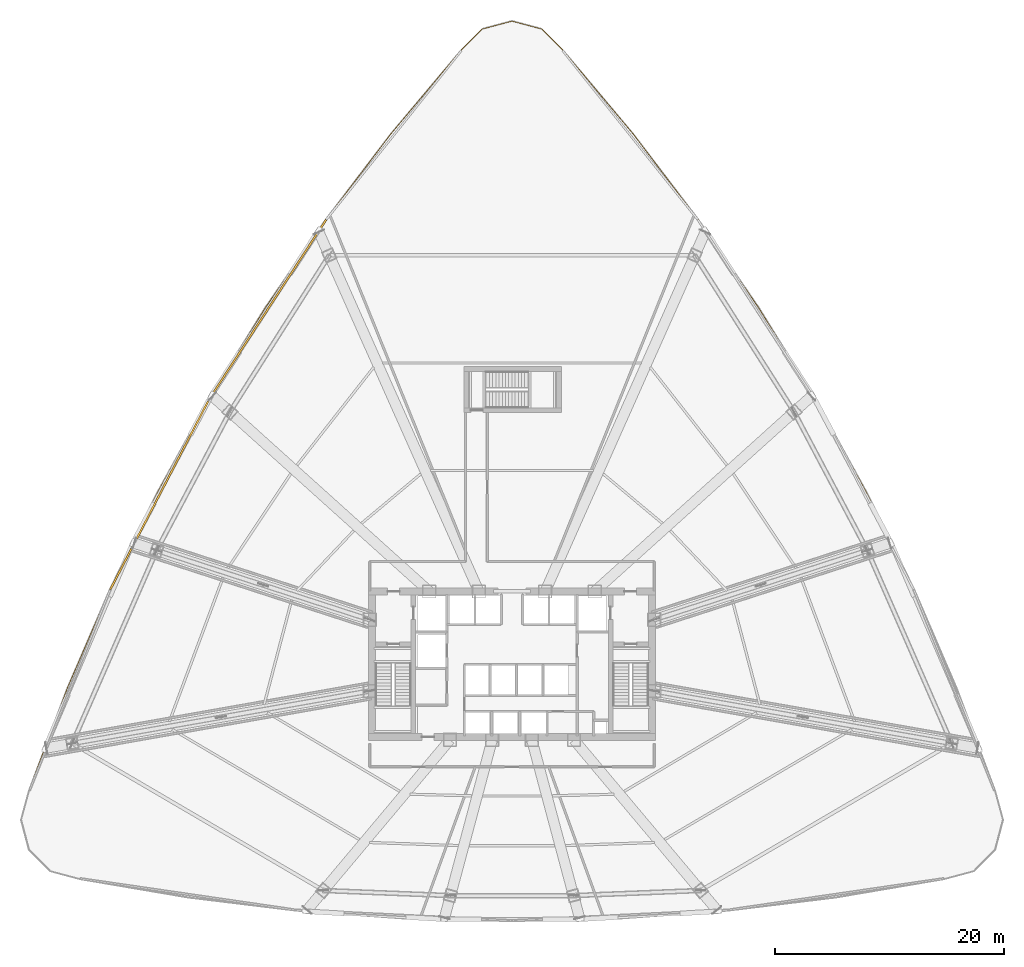
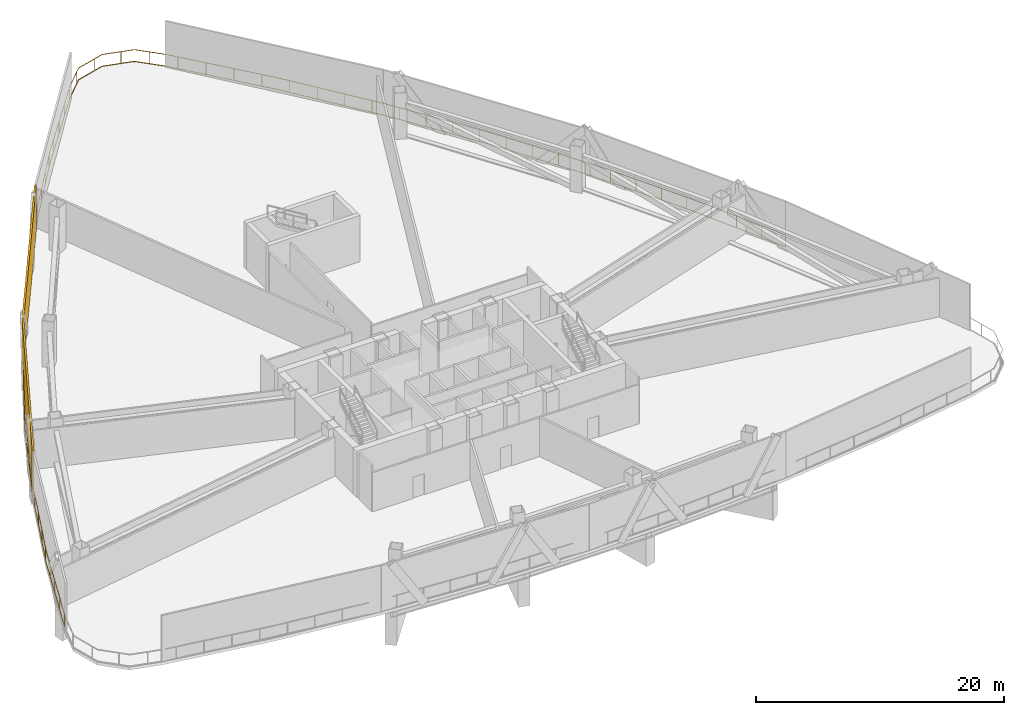
# One storey, part 15 of 17: 2 shading devices, 1 railing.
"""IFC4 building model written with IfcOpenShell, lengths in metres."""

from ifc_helpers import new_model, si_unit, direction, frame, origin, origin_2d, place, context, subcontext, project, spatial, rectangle, extrude, source, transform, mapped, material, layer, layer_set, type_object, element, save


model = new_model("IFC4")

# Units and contexts
model_context = context("Model", 3, precision=1e-05, world=origin(), true_north=direction((0.0, 1.0)))
body_context = subcontext(model_context, "Body", "Model", "MODEL_VIEW")
ifc_project = project(units=[si_unit("LENGTHUNIT", "METRE"), si_unit("AREAUNIT", "SQUARE_METRE"), si_unit("VOLUMEUNIT", "CUBIC_METRE"), si_unit("PLANEANGLEUNIT", "RADIAN"), si_unit("MASSUNIT", "GRAM", prefix="KILO"), si_unit("THERMODYNAMICTEMPERATUREUNIT", "KELVIN"), si_unit("POWERUNIT", "WATT")], contexts=[model_context])

# Site, building, storey
site_placement = place(None, origin())
site = spatial("IfcSite", under=ifc_project, at=site_placement, CompositionType="ELEMENT")
building_placement = place(site_placement, origin())
building = spatial("IfcBuilding", under=site, at=building_placement, Name="Yunzhuo Pagoda Commons", CompositionType="ELEMENT")
storey_placement = place(building_placement, frame((0.0, 0.0, 76.3798828125)))
storey = spatial("IfcBuildingStorey", under=building, at=storey_placement, Name="L19", CompositionType="ELEMENT", Elevation=76.3798828125)

# Railing
ifc_material = material(Name="Anodized aluminium 6063-T6", Category="aluminium")
railing_type = type_object("IfcRailingType", Name="RL-PRT1 Wind Portal & Refuge Guardrail 1200", PredefinedType="GUARDRAIL", material=ifc_material)
railing_placement = place(storey_placement, frame((83.052001953125, 40.406494140625, 0.0)))
element("IfcRailing", 1, at=railing_placement, inside=storey, type_object=railing_type, Name="L19 refuge perimeter guardrail B", PredefinedType="GUARDRAIL", context=body_context, shape_type="SweptSolid", body=[
    extrude(rectangle(XDim=0.048095703125, YDim=0.048095703125, at=origin_2d()), frame((0.0, 0.0, 1.17578125), z_axis=(-0.440274058071, 0.897863438274, 0.0), x_axis=(-0.897863438274, -0.440274058071, 0.0)), (0.0, 0.0, 1.0), 9.34814453125),
    extrude(rectangle(XDim=0.048095703125, YDim=0.048095703125, at=origin_2d()), frame((0.0, 0.0, 0.02392578125), z_axis=(-0.440274058071, 0.897863438274, 0.0), x_axis=(-0.897863438274, -0.440274058071, 0.0)), (0.0, 0.0, 1.0), 9.34814453125),
    extrude(rectangle(XDim=0.048095703125, YDim=0.048095703125, at=origin_2d()), frame((-4.11572265625, 8.393310546875, 1.17578125), z_axis=(-0.48316113029, 0.875531451278, 0.0), x_axis=(-0.875531451278, -0.48316113029, 0.0)), (0.0, 0.0, 1.0), 9.3203125),
    extrude(rectangle(XDim=0.048095703125, YDim=0.048095703125, at=origin_2d()), frame((-4.11572265625, 8.393310546875, 0.02392578125), z_axis=(-0.48316113029, 0.875531451278, 0.0), x_axis=(-0.875531451278, -0.48316113029, 0.0)), (0.0, 0.0, 1.0), 9.3203125),
    extrude(rectangle(XDim=0.048095703125, YDim=0.048095703125, at=origin_2d()), frame((-8.618896484375, 16.553466796875, 1.17578125), z_axis=(-0.524827973597, 0.85120831653, 0.0), x_axis=(-0.85120831653, -0.524827973597, 0.0)), (0.0, 0.0, 1.0), 9.3203125),
    extrude(rectangle(XDim=0.048095703125, YDim=0.048095703125, at=origin_2d()), frame((-8.618896484375, 16.553466796875, 0.02392578125), z_axis=(-0.524827973597, 0.85120831653, 0.0), x_axis=(-0.85120831653, -0.524827973597, 0.0)), (0.0, 0.0, 1.0), 9.3203125),
    extrude(rectangle(XDim=0.048095703125, YDim=0.048095703125, at=origin_2d()), frame((-13.510498046875, 24.487060546875, 1.17578125), z_axis=(-0.565364403372, 0.824841252242, 0.0), x_axis=(-0.824841252242, -0.565364403372, 0.0)), (0.0, 0.0, 1.0), 9.347900390625),
    extrude(rectangle(XDim=0.048095703125, YDim=0.048095703125, at=origin_2d()), frame((-13.510498046875, 24.487060546875, 0.02392578125), z_axis=(-0.565364403372, 0.824841252242, 0.0), x_axis=(-0.824841252242, -0.565364403372, 0.0)), (0.0, 0.0, 1.0), 9.347900390625),
    extrude(rectangle(XDim=0.048095703125, YDim=0.048095703125, at=origin_2d()), frame((-18.79541015625, 32.197509765625, 1.17578125), z_axis=(-0.604578631577, 0.796545465269, 0.0), x_axis=(-0.796545465269, -0.604578631577, 0.0)), (0.0, 0.0, 1.0), 9.3984375),
    extrude(rectangle(XDim=0.048095703125, YDim=0.048095703125, at=origin_2d()), frame((-18.79541015625, 32.197509765625, 0.02392578125), z_axis=(-0.604578631577, 0.796545465269, 0.0), x_axis=(-0.796545465269, -0.604578631577, 0.0)), (0.0, 0.0, 1.0), 9.3984375),
    extrude(rectangle(XDim=0.048095703125, YDim=0.048095703125, at=origin_2d()), frame((-24.4775390625, 39.683837890625, 1.17578125), z_axis=(-0.642134713176, 0.76659181455, 0.0), x_axis=(-0.76659181455, -0.642134713176, 0.0)), (0.0, 0.0, 1.0), 9.470703125),
    extrude(rectangle(XDim=0.048095703125, YDim=0.048095703125, at=origin_2d()), frame((-24.4775390625, 39.683837890625, 0.02392578125), z_axis=(-0.642134713176, 0.76659181455, 0.0), x_axis=(-0.76659181455, -0.642134713176, 0.0)), (0.0, 0.0, 1.0), 9.470703125),
    extrude(rectangle(XDim=0.048095703125, YDim=0.048095703125, at=origin_2d()), frame((-30.55908203125, 46.944091796875, 1.17578125), z_axis=(-0.708924060217, 0.705284819662, 0.0), x_axis=(-0.705284819662, -0.708924060217, 0.0)), (0.0, 0.0, 1.0), 2.683349609375),
    extrude(rectangle(XDim=0.048095703125, YDim=0.048095703125, at=origin_2d()), frame((-30.55908203125, 46.944091796875, 0.02392578125), z_axis=(-0.708924060217, 0.705284819662, 0.0), x_axis=(-0.705284819662, -0.708924060217, 0.0)), (0.0, 0.0, 1.0), 2.683349609375),
    extrude(rectangle(XDim=0.048095703125, YDim=0.048095703125, at=origin_2d()), frame((-32.46142578125, 48.836669921875, 1.17578125), z_axis=(-0.966112425525, 0.258121640407, 0.0), x_axis=(-0.258121640407, -0.966112425525, 0.0)), (0.0, 0.0, 1.0), 2.681396484375),
    extrude(rectangle(XDim=0.048095703125, YDim=0.048095703125, at=origin_2d()), frame((-32.46142578125, 48.836669921875, 0.02392578125), z_axis=(-0.966112425525, 0.258121640407, 0.0), x_axis=(-0.258121640407, -0.966112425525, 0.0)), (0.0, 0.0, 1.0), 2.681396484375),
    extrude(rectangle(XDim=0.048095703125, YDim=0.048095703125, at=origin_2d()), frame((-35.052001953125, 49.52880859375, 1.17578125), z_axis=(-0.966112425525, -0.258121640407, 0.0), x_axis=(0.258121640407, -0.966112425525, 0.0)), (0.0, 0.0, 1.0), 2.681396484375),
    extrude(rectangle(XDim=0.048095703125, YDim=0.048095703125, at=origin_2d()), frame((-35.052001953125, 49.52880859375, 0.02392578125), z_axis=(-0.966112425525, -0.258121640407, 0.0), x_axis=(0.258121640407, -0.966112425525, 0.0)), (0.0, 0.0, 1.0), 2.681396484375),
    extrude(rectangle(XDim=0.048095703125, YDim=0.048095703125, at=origin_2d()), frame((-37.642578125, 48.836669921875, 1.17578125), z_axis=(-0.708924060217, -0.705284819662, 0.0), x_axis=(0.705284819662, -0.708924060217, 0.0)), (0.0, 0.0, 1.0), 2.683349609375),
    extrude(rectangle(XDim=0.048095703125, YDim=0.048095703125, at=origin_2d()), frame((-37.642578125, 48.836669921875, 0.02392578125), z_axis=(-0.708924060217, -0.705284819662, 0.0), x_axis=(0.705284819662, -0.708924060217, 0.0)), (0.0, 0.0, 1.0), 2.683349609375),
    extrude(rectangle(XDim=0.048095703125, YDim=0.048095703125, at=origin_2d()), frame((-39.544921875, 46.944091796875, 1.17578125), z_axis=(-0.642134713176, -0.76659181455, 0.0), x_axis=(0.76659181455, -0.642134713176, 0.0)), (0.0, 0.0, 1.0), 9.470703125),
    extrude(rectangle(XDim=0.048095703125, YDim=0.048095703125, at=origin_2d()), frame((-39.544921875, 46.944091796875, 0.02392578125), z_axis=(-0.642134713176, -0.76659181455, 0.0), x_axis=(0.76659181455, -0.642134713176, 0.0)), (0.0, 0.0, 1.0), 9.470703125),
    extrude(rectangle(XDim=0.048095703125, YDim=0.048095703125, at=origin_2d()), frame((-45.62646484375, 39.683837890625, 1.17578125), z_axis=(-0.604578631577, -0.796545465269, 0.0), x_axis=(0.796545465269, -0.604578631577, 0.0)), (0.0, 0.0, 1.0), 9.3984375),
    extrude(rectangle(XDim=0.048095703125, YDim=0.048095703125, at=origin_2d()), frame((-45.62646484375, 39.683837890625, 0.02392578125), z_axis=(-0.604578631577, -0.796545465269, 0.0), x_axis=(0.796545465269, -0.604578631577, 0.0)), (0.0, 0.0, 1.0), 9.3984375),
    extrude(rectangle(XDim=0.048095703125, YDim=0.048095703125, at=origin_2d()), frame((-51.30859375, 32.197509765625, 1.17578125), z_axis=(-0.565364403372, -0.824841252242, 0.0), x_axis=(0.824841252242, -0.565364403372, 0.0)), (0.0, 0.0, 1.0), 9.347900390625),
    extrude(rectangle(XDim=0.048095703125, YDim=0.048095703125, at=origin_2d()), frame((-51.30859375, 32.197509765625, 0.02392578125), z_axis=(-0.565364403372, -0.824841252242, 0.0), x_axis=(0.824841252242, -0.565364403372, 0.0)), (0.0, 0.0, 1.0), 9.347900390625),
    extrude(rectangle(XDim=0.048095703125, YDim=0.048095703125, at=origin_2d()), frame((-56.593505859375, 24.487060546875, 1.17578125), z_axis=(-0.524827973597, -0.85120831653, 0.0), x_axis=(0.85120831653, -0.524827973597, 0.0)), (0.0, 0.0, 1.0), 9.3203125),
    extrude(rectangle(XDim=0.048095703125, YDim=0.048095703125, at=origin_2d()), frame((-56.593505859375, 24.487060546875, 0.02392578125), z_axis=(-0.524827973597, -0.85120831653, 0.0), x_axis=(0.85120831653, -0.524827973597, 0.0)), (0.0, 0.0, 1.0), 9.3203125),
    extrude(rectangle(XDim=0.048095703125, YDim=0.048095703125, at=origin_2d()), frame((-61.485107421875, 16.553466796875, 1.17578125), z_axis=(-0.48316113029, -0.875531451278, 0.0), x_axis=(0.875531451278, -0.48316113029, 0.0)), (0.0, 0.0, 1.0), 9.3203125),
    extrude(rectangle(XDim=0.048095703125, YDim=0.048095703125, at=origin_2d()), frame((-61.485107421875, 16.553466796875, 0.02392578125), z_axis=(-0.48316113029, -0.875531451278, 0.0), x_axis=(0.875531451278, -0.48316113029, 0.0)), (0.0, 0.0, 1.0), 9.3203125),
    extrude(rectangle(XDim=0.048095703125, YDim=0.048095703125, at=origin_2d()), frame((-65.98828125, 8.393310546875, 1.17578125), z_axis=(-0.440274058071, -0.897863438274, 0.0), x_axis=(0.897863438274, -0.440274058071, 0.0)), (0.0, 0.0, 1.0), 9.34814453125),
    extrude(rectangle(XDim=0.048095703125, YDim=0.048095703125, at=origin_2d()), frame((-65.98828125, 8.393310546875, 0.02392578125), z_axis=(-0.440274058071, -0.897863438274, 0.0), x_axis=(0.897863438274, -0.440274058071, 0.0)), (0.0, 0.0, 1.0), 9.34814453125),
    extrude(rectangle(XDim=0.048095703125, YDim=0.048095703125, at=origin_2d()), frame((-70.10400390625, 0.0, 1.17578125), z_axis=(-0.396325554935, -0.918110044878, 0.0), x_axis=(0.918110044878, -0.396325554935, 0.0)), (0.0, 0.0, 1.0), 9.399169921875),
    extrude(rectangle(XDim=0.048095703125, YDim=0.048095703125, at=origin_2d()), frame((-70.10400390625, 0.0, 0.02392578125), z_axis=(-0.396325554935, -0.918110044878, 0.0), x_axis=(0.918110044878, -0.396325554935, 0.0)), (0.0, 0.0, 1.0), 9.399169921875),
    extrude(rectangle(XDim=0.048095703125, YDim=0.048095703125, at=origin_2d()), frame((-73.8291015625, -8.62939453125, 1.17578125), z_axis=(-0.351770086326, -0.936086431034, 0.0), x_axis=(0.936086431034, -0.351770086326, 0.0)), (0.0, 0.0, 1.0), 9.390869140625),
    extrude(rectangle(XDim=0.048095703125, YDim=0.048095703125, at=origin_2d()), frame((-73.8291015625, -8.62939453125, 0.02392578125), z_axis=(-0.351770086326, -0.936086431034, 0.0), x_axis=(0.936086431034, -0.351770086326, 0.0)), (0.0, 0.0, 1.0), 9.390869140625),
    extrude(rectangle(XDim=0.0419921875, YDim=0.0419921875, at=origin_2d()), origin(), (0.0, 0.0, 1.0), 1.15185546875),
    extrude(rectangle(XDim=0.0419921875, YDim=0.0419921875, at=origin_2d()), frame((-1.056640625, 2.15478515625, 0.0)), (0.0, 0.0, 1.0), 1.15185546875),
    extrude(rectangle(XDim=0.0419921875, YDim=0.0419921875, at=origin_2d()), frame((-2.11328125, 4.309814453125, 0.0)), (0.0, 0.0, 1.0), 1.15185546875),
    extrude(rectangle(XDim=0.0419921875, YDim=0.0419921875, at=origin_2d()), frame((-3.169921875, 6.464599609375, 0.0)), (0.0, 0.0, 1.0), 1.15185546875),
    extrude(rectangle(XDim=0.0419921875, YDim=0.0419921875, at=origin_2d()), frame((-4.237548828125, 8.61376953125, 0.0)), (0.0, 0.0, 1.0), 1.15185546875),
    extrude(rectangle(XDim=0.0419921875, YDim=0.0419921875, at=origin_2d()), frame((-5.39697265625, 10.715087890625, 0.0)), (0.0, 0.0, 1.0), 1.15185546875),
    extrude(rectangle(XDim=0.0419921875, YDim=0.0419921875, at=origin_2d()), frame((-6.556640625, 12.81640625, 0.0)), (0.0, 0.0, 1.0), 1.15185546875),
    extrude(rectangle(XDim=0.0419921875, YDim=0.0419921875, at=origin_2d()), frame((-7.71630859375, 14.917724609375, 0.0)), (0.0, 0.0, 1.0), 1.15185546875),
    extrude(rectangle(XDim=0.0419921875, YDim=0.0419921875, at=origin_2d()), frame((-8.89794921875, 17.006103515625, 0.0)), (0.0, 0.0, 1.0), 1.15185546875),
    extrude(rectangle(XDim=0.0419921875, YDim=0.0419921875, at=origin_2d()), frame((-10.157470703125, 19.048828125, 0.0)), (0.0, 0.0, 1.0), 1.15185546875),
    extrude(rectangle(XDim=0.0419921875, YDim=0.0419921875, at=origin_2d()), frame((-11.4169921875, 21.091796875, 0.0)), (0.0, 0.0, 1.0), 1.15185546875),
    extrude(rectangle(XDim=0.0419921875, YDim=0.0419921875, at=origin_2d()), frame((-12.6767578125, 23.134765625, 0.0)), (0.0, 0.0, 1.0), 1.15185546875),
    extrude(rectangle(XDim=0.0419921875, YDim=0.0419921875, at=origin_2d()), frame((-13.96923828125, 25.15625, 0.0)), (0.0, 0.0, 1.0), 1.15185546875),
    extrude(rectangle(XDim=0.0419921875, YDim=0.0419921875, at=origin_2d()), frame((-15.325927734375, 27.1357421875, 0.0)), (0.0, 0.0, 1.0), 1.15185546875),
    extrude(rectangle(XDim=0.0419921875, YDim=0.0419921875, at=origin_2d()), frame((-16.682861328125, 29.115478515625, 0.0)), (0.0, 0.0, 1.0), 1.15185546875),
    extrude(rectangle(XDim=0.0419921875, YDim=0.0419921875, at=origin_2d()), frame((-18.039794921875, 31.09521484375, 0.0)), (0.0, 0.0, 1.0), 1.15185546875),
    extrude(rectangle(XDim=0.0419921875, YDim=0.0419921875, at=origin_2d()), frame((-19.4384765625, 33.044677734375, 0.0)), (0.0, 0.0, 1.0), 1.15185546875),
    extrude(rectangle(XDim=0.0419921875, YDim=0.0419921875, at=origin_2d()), frame((-20.889404296875, 34.956298828125, 0.0)), (0.0, 0.0, 1.0), 1.15185546875),
    extrude(rectangle(XDim=0.0419921875, YDim=0.0419921875, at=origin_2d()), frame((-22.34033203125, 36.8681640625, 0.0)), (0.0, 0.0, 1.0), 1.15185546875),
    extrude(rectangle(XDim=0.0419921875, YDim=0.0419921875, at=origin_2d()), frame((-23.791259765625, 38.77978515625, 0.0)), (0.0, 0.0, 1.0), 1.15185546875),
    extrude(rectangle(XDim=0.0419921875, YDim=0.0419921875, at=origin_2d()), frame((-25.289794921875, 40.653564453125, 0.0)), (0.0, 0.0, 1.0), 1.15185546875),
    extrude(rectangle(XDim=0.0419921875, YDim=0.0419921875, at=origin_2d()), frame((-26.8310546875, 42.493408203125, 0.0)), (0.0, 0.0, 1.0), 1.15185546875),
    extrude(rectangle(XDim=0.0419921875, YDim=0.0419921875, at=origin_2d()), frame((-28.3720703125, 44.333251953125, 0.0)), (0.0, 0.0, 1.0), 1.15185546875),
    extrude(rectangle(XDim=0.0419921875, YDim=0.0419921875, at=origin_2d()), frame((-29.9130859375, 46.173095703125, 0.0)), (0.0, 0.0, 1.0), 1.15185546875),
    extrude(rectangle(XDim=0.0419921875, YDim=0.0419921875, at=origin_2d()), frame((-31.54736328125, 47.927490234375, 0.0)), (0.0, 0.0, 1.0), 1.15185546875),
    extrude(rectangle(XDim=0.0419921875, YDim=0.0419921875, at=origin_2d()), frame((-33.534423828125, 49.123291015625, 0.0)), (0.0, 0.0, 1.0), 1.15185546875),
    extrude(rectangle(XDim=0.0419921875, YDim=0.0419921875, at=origin_2d()), frame((-35.853271484375, 49.314697265625, 0.0)), (0.0, 0.0, 1.0), 1.15185546875),
    extrude(rectangle(XDim=0.0419921875, YDim=0.0419921875, at=origin_2d()), frame((-38.031005859375, 48.4501953125, 0.0)), (0.0, 0.0, 1.0), 1.15185546875),
    extrude(rectangle(XDim=0.0419921875, YDim=0.0419921875, at=origin_2d()), frame((-39.71484375, 46.741455078125, 0.0)), (0.0, 0.0, 1.0), 1.15185546875),
    extrude(rectangle(XDim=0.0419921875, YDim=0.0419921875, at=origin_2d()), frame((-41.255859375, 44.901611328125, 0.0)), (0.0, 0.0, 1.0), 1.15185546875),
    extrude(rectangle(XDim=0.0419921875, YDim=0.0419921875, at=origin_2d()), frame((-42.796875, 43.061767578125, 0.0)), (0.0, 0.0, 1.0), 1.15185546875),
    extrude(rectangle(XDim=0.0419921875, YDim=0.0419921875, at=origin_2d()), frame((-44.338134765625, 41.221923828125, 0.0)), (0.0, 0.0, 1.0), 1.15185546875),
    extrude(rectangle(XDim=0.0419921875, YDim=0.0419921875, at=origin_2d()), frame((-45.864501953125, 39.370361328125, 0.0)), (0.0, 0.0, 1.0), 1.15185546875),
    extrude(rectangle(XDim=0.0419921875, YDim=0.0419921875, at=origin_2d()), frame((-47.3154296875, 37.45849609375, 0.0)), (0.0, 0.0, 1.0), 1.15185546875),
    extrude(rectangle(XDim=0.0419921875, YDim=0.0419921875, at=origin_2d()), frame((-48.766357421875, 35.546875, 0.0)), (0.0, 0.0, 1.0), 1.15185546875),
    extrude(rectangle(XDim=0.0419921875, YDim=0.0419921875, at=origin_2d()), frame((-50.21728515625, 33.63525390625, 0.0)), (0.0, 0.0, 1.0), 1.15185546875),
    extrude(rectangle(XDim=0.0419921875, YDim=0.0419921875, at=origin_2d()), frame((-51.64501953125, 31.70654296875, 0.0)), (0.0, 0.0, 1.0), 1.15185546875),
    extrude(rectangle(XDim=0.0419921875, YDim=0.0419921875, at=origin_2d()), frame((-53.001953125, 29.72705078125, 0.0)), (0.0, 0.0, 1.0), 1.15185546875),
    extrude(rectangle(XDim=0.0419921875, YDim=0.0419921875, at=origin_2d()), frame((-54.35888671875, 27.747314453125, 0.0)), (0.0, 0.0, 1.0), 1.15185546875),
    extrude(rectangle(XDim=0.0419921875, YDim=0.0419921875, at=origin_2d()), frame((-55.715576171875, 25.767822265625, 0.0)), (0.0, 0.0, 1.0), 1.15185546875),
    extrude(rectangle(XDim=0.0419921875, YDim=0.0419921875, at=origin_2d()), frame((-57.0380859375, 23.765869140625, 0.0)), (0.0, 0.0, 1.0), 1.15185546875),
    extrude(rectangle(XDim=0.0419921875, YDim=0.0419921875, at=origin_2d()), frame((-58.2978515625, 21.722900390625, 0.0)), (0.0, 0.0, 1.0), 1.15185546875),
    extrude(rectangle(XDim=0.0419921875, YDim=0.0419921875, at=origin_2d()), frame((-59.557373046875, 19.679931640625, 0.0)), (0.0, 0.0, 1.0), 1.15185546875),
    extrude(rectangle(XDim=0.0419921875, YDim=0.0419921875, at=origin_2d()), frame((-60.81689453125, 17.63720703125, 0.0)), (0.0, 0.0, 1.0), 1.15185546875),
    extrude(rectangle(XDim=0.0419921875, YDim=0.0419921875, at=origin_2d()), frame((-62.029541015625, 15.56689453125, 0.0)), (0.0, 0.0, 1.0), 1.15185546875),
    extrude(rectangle(XDim=0.0419921875, YDim=0.0419921875, at=origin_2d()), frame((-63.189208984375, 13.465576171875, 0.0)), (0.0, 0.0, 1.0), 1.15185546875),
    extrude(rectangle(XDim=0.0419921875, YDim=0.0419921875, at=origin_2d()), frame((-64.348876953125, 11.3642578125, 0.0)), (0.0, 0.0, 1.0), 1.15185546875),
    extrude(rectangle(XDim=0.0419921875, YDim=0.0419921875, at=origin_2d()), frame((-65.50830078125, 9.262939453125, 0.0)), (0.0, 0.0, 1.0), 1.15185546875),
    extrude(rectangle(XDim=0.0419921875, YDim=0.0419921875, at=origin_2d()), frame((-66.607666015625, 7.13037109375, 0.0)), (0.0, 0.0, 1.0), 1.15185546875),
    extrude(rectangle(XDim=0.0419921875, YDim=0.0419921875, at=origin_2d()), frame((-67.664306640625, 4.975341796875, 0.0)), (0.0, 0.0, 1.0), 1.15185546875),
    extrude(rectangle(XDim=0.0419921875, YDim=0.0419921875, at=origin_2d()), frame((-68.720947265625, 2.820556640625, 0.0)), (0.0, 0.0, 1.0), 1.15185546875),
    extrude(rectangle(XDim=0.0419921875, YDim=0.0419921875, at=origin_2d()), frame((-69.777587890625, 0.665771484375, 0.0)), (0.0, 0.0, 1.0), 1.15185546875),
    extrude(rectangle(XDim=0.0419921875, YDim=0.0419921875, at=origin_2d()), frame((-70.761474609375, -1.522705078125, 0.0)), (0.0, 0.0, 1.0), 1.15185546875),
    extrude(rectangle(XDim=0.0419921875, YDim=0.0419921875, at=origin_2d()), frame((-71.712646484375, -3.726318359375, 0.0)), (0.0, 0.0, 1.0), 1.15185546875),
    extrude(rectangle(XDim=0.0419921875, YDim=0.0419921875, at=origin_2d()), frame((-72.663818359375, -5.9296875, 0.0)), (0.0, 0.0, 1.0), 1.15185546875),
    extrude(rectangle(XDim=0.0419921875, YDim=0.0419921875, at=origin_2d()), frame((-73.614990234375, -8.133056640625, 0.0)), (0.0, 0.0, 1.0), 1.15185546875),
    extrude(rectangle(XDim=0.0419921875, YDim=0.0419921875, at=origin_2d()), frame((-74.483154296875, -10.3701171875, 0.0)), (0.0, 0.0, 1.0), 1.15185546875),
    extrude(rectangle(XDim=0.0419921875, YDim=0.0419921875, at=origin_2d()), frame((-75.327392578125, -12.61669921875, 0.0)), (0.0, 0.0, 1.0), 1.15185546875),
    extrude(rectangle(XDim=0.0419921875, YDim=0.0419921875, at=origin_2d()), frame((-76.171630859375, -14.86328125, 0.0)), (0.0, 0.0, 1.0), 1.15185546875),
    extrude(rectangle(XDim=0.0419921875, YDim=0.0419921875, at=origin_2d()), frame((-77.015869140625, -17.10986328125, 0.0)), (0.0, 0.0, 1.0), 1.15185546875),
    extrude(rectangle(XDim=0.0419921875, YDim=0.0419921875, at=origin_2d()), frame((-77.132568359375, -17.420166015625, 0.0)), (0.0, 0.0, 1.0), 1.15185546875),
])

# Shading devices
ifc_layer = layer(ifc_material, 0.159912109375)
ifc_layer_set = layer_set([ifc_layer], Name="Anodized aluminium 6063-T6")
shading_device_type = type_object("IfcShadingDeviceType", Name="SH-SCR1 Stormproof Refuge Louvre Screen", PredefinedType="JALOUSIE", material=ifc_layer_set)
shared_shape = source(origin(), body_context, "Body", "SweptSolid", [
    extrude(rectangle(XDim=18.6767578125, YDim=0.159912109375, at=origin_2d()), origin(), (0.0, 0.0, 1.0), 4.5400390625),
])
for number, where, z_axis, x_axis, name in (
    (2, (26.68896484375, 64.785400390625, 0.0), (0.0, 0.0, 1.0), (-0.545838756973, -0.837890238269, 0.0), "L19 stormproof refuge louvre screen F3.2"),
    (3, (17.270751953125, 48.65087890625, 0.0), (0.0, 0.0, 1.0), (-0.461206683033, -0.88729273384, 0.0), "L19 stormproof refuge louvre screen F3.3"),
):
    element("IfcShadingDevice", number, at=place(storey_placement, frame(where, z_axis=z_axis, x_axis=x_axis)), inside=storey, type_object=shading_device_type, Name=name, PredefinedType="JALOUSIE", context=body_context, shape_type="MappedRepresentation", body=[
        mapped(shared_shape, transform((0.0, 0.0, 0.0), scale=1.0)),
    ])

save(model, "model.ifc")
